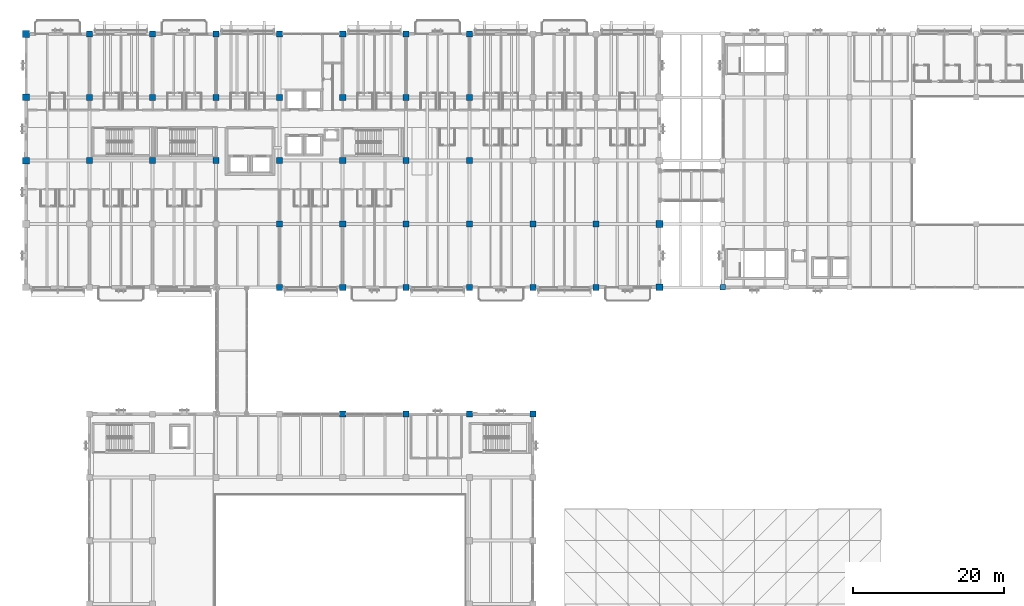
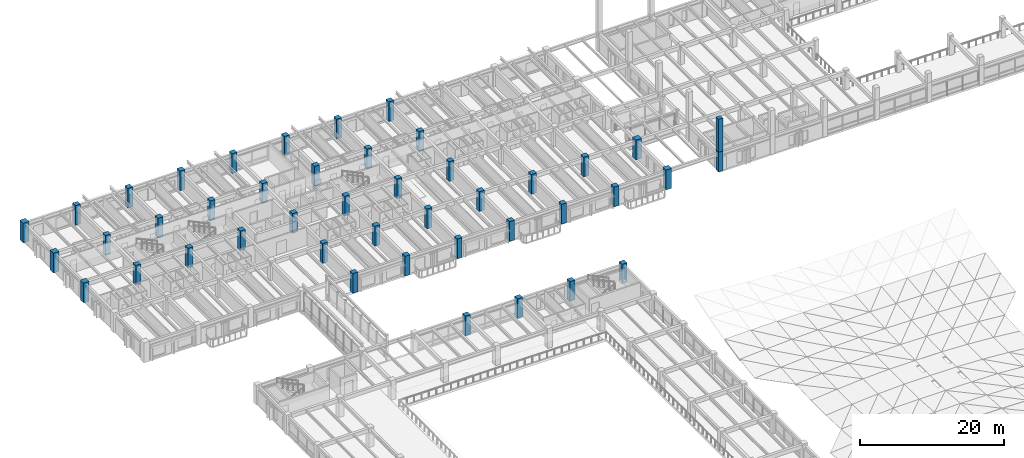
# One storey, part 3 of 123: 44 columns.
"""IFC4 building model written with IfcOpenShell, lengths in metres."""

from ifc_helpers import new_model, si_unit, direction, frame, origin, origin_2d, place, context, subcontext, project, spatial, rectangle, extrude, material, material_profile, profile_set, type_object, element, save


model = new_model("IFC4")

# Units and contexts
model_context = context("Model", 3, precision=1e-05, world=origin(), true_north=direction((0.0, 1.0)))
body_context = subcontext(model_context, "Body", "Model", "MODEL_VIEW")
ifc_project = project(units=[si_unit("LENGTHUNIT", "METRE"), si_unit("AREAUNIT", "SQUARE_METRE"), si_unit("VOLUMEUNIT", "CUBIC_METRE"), si_unit("PLANEANGLEUNIT", "RADIAN"), si_unit("MASSUNIT", "GRAM", prefix="KILO")], contexts=[model_context])

# Site, building, storey
site_placement = place(None, origin())
site = spatial("IfcSite", under=ifc_project, at=site_placement, CompositionType="ELEMENT")
building_placement = place(site_placement, origin())
building = spatial("IfcBuilding", under=site, at=building_placement, Name="Cumbredor Promenade Congress Hotel", CompositionType="ELEMENT")
storey_placement = place(building_placement, frame((0.0, 0.0, 11.760009765625)))
storey = spatial("IfcBuildingStorey", under=building, at=storey_placement, Name="L03", CompositionType="ELEMENT", Elevation=11.760009765625)

# Columns
ifc_material_1 = material(Name="Concrete C40/50", Category="concrete")
ifc_material_profile_1 = material_profile(ifc_material_1, rectangle(XDim=0.699951171875, YDim=0.699951171875, at=origin_2d()), Name="RC 700x700")
ifc_profile_set_1 = profile_set([ifc_material_profile_1], Name="Concrete C40/50")
column_type_1 = type_object("IfcColumnType", Name="COL-RC-700", PredefinedType="COLUMN", material=ifc_profile_set_1)
column_1_placement = place(storey_placement, frame((92.39990234375, 84.0, 0.0), z_axis=(0.0, 0.0, 1.0), x_axis=(1.0, 0.0, 0.0)))
element("IfcColumn", 1, at=column_1_placement, inside=storey, type_object=column_type_1, Name="L03 Structural Column 104", PredefinedType="COLUMN", context=body_context, shape_type="SweptSolid", body=[
    extrude(rectangle(XDim=0.699951171875, YDim=0.699951171875, at=origin_2d()), origin(), (0.0, 0.0, 1.0), 3.360107421875),
])
column_2_placement = place(storey_placement, frame((92.39990234375, 84.0, 3.360107421875), z_axis=(0.0, 0.0, 1.0), x_axis=(1.0, 0.0, 0.0)))
element("IfcColumn", 2, at=column_2_placement, inside=storey, type_object=column_type_1, Name="Pre-Function and Breakout Meeting Forum Clerestory Column Extension 01", PredefinedType="COLUMN", context=body_context, shape_type="SweptSolid", body=[
    extrude(rectangle(XDim=0.699951171875, YDim=0.699951171875, at=origin_2d()), origin(), (0.0, 0.0, 1.0), 5.609375),
])
ifc_material_2 = material(Name="Concrete C50/60", Category="concrete")
ifc_material_profile_2 = material_profile(ifc_material_2, rectangle(XDim=0.800048828125, YDim=0.800048828125, at=origin_2d()), Name="RC 800x800")
ifc_profile_set_2 = profile_set([ifc_material_profile_2], Name="Concrete C50/60")
column_type_2 = type_object("IfcColumnType", Name="COL-RC-800", PredefinedType="COLUMN", material=ifc_profile_set_2)
for number, where, z_axis, x_axis, name in (
    (3, (8.39990234375, 100.800048828125, 0.0), (0.0, 0.0, 1.0), (1.0, 0.0, 0.0), "L03 Structural Column 016"),
    (4, (8.39990234375, 109.199951171875, 0.0), (0.0, 0.0, 1.0), (1.0, 0.0, 0.0), "L03 Structural Column 017"),
    (5, (8.39990234375, 117.60009765625, 0.0), (0.0, 0.0, 1.0), (1.0, 0.0, 0.0), "L03 Structural Column 018"),
    (6, (16.800048828125, 100.800048828125, 0.0), (0.0, 0.0, 1.0), (1.0, 0.0, 0.0), "L03 Structural Column 029"),
    (7, (16.800048828125, 109.199951171875, 0.0), (0.0, 0.0, 1.0), (1.0, 0.0, 0.0), "L03 Structural Column 030"),
    (8, (16.800048828125, 117.60009765625, 0.0), (0.0, 0.0, 1.0), (1.0, 0.0, 0.0), "L03 Structural Column 031"),
    (9, (25.199951171875, 100.800048828125, 0.0), (0.0, 0.0, 1.0), (1.0, 0.0, 0.0), "L03 Structural Column 038"),
    (10, (25.199951171875, 109.199951171875, 0.0), (0.0, 0.0, 1.0), (1.0, 0.0, 0.0), "L03 Structural Column 039"),
    (11, (25.199951171875, 117.60009765625, 0.0), (0.0, 0.0, 1.0), (1.0, 0.0, 0.0), "L03 Structural Column 040"),
    (12, (33.60009765625, 84.0, 0.0), (0.0, 0.0, 1.0), (1.0, 0.0, 0.0), "L03 Structural Column 045"),
    (13, (33.60009765625, 92.39990234375, 0.0), (0.0, 0.0, 1.0), (1.0, 0.0, 0.0), "L03 Structural Column 046"),
    (14, (33.60009765625, 100.800048828125, 0.0), (0.0, 0.0, 1.0), (1.0, 0.0, 0.0), "L03 Structural Column 047"),
    (15, (33.60009765625, 109.199951171875, 0.0), (0.0, 0.0, 1.0), (1.0, 0.0, 0.0), "L03 Structural Column 048"),
    (16, (33.60009765625, 117.60009765625, 0.0), (0.0, 0.0, 1.0), (1.0, 0.0, 0.0), "L03 Structural Column 049"),
    (17, (42.0, 67.199951171875, 0.0), (0.0, 0.0, 1.0), (1.0, 0.0, 0.0), "L03 Structural Column 053"),
    (18, (42.0, 84.0, 0.0), (0.0, 0.0, 1.0), (1.0, 0.0, 0.0), "L03 Structural Column 054"),
    (19, (42.0, 92.39990234375, 0.0), (0.0, 0.0, 1.0), (1.0, 0.0, 0.0), "L03 Structural Column 055"),
    (20, (42.0, 100.800048828125, 0.0), (0.0, 0.0, 1.0), (1.0, 0.0, 0.0), "L03 Structural Column 056"),
    (21, (42.0, 109.199951171875, 0.0), (0.0, 0.0, 1.0), (1.0, 0.0, 0.0), "L03 Structural Column 057"),
    (22, (42.0, 117.60009765625, 0.0), (0.0, 0.0, 1.0), (1.0, 0.0, 0.0), "L03 Structural Column 058"),
    (23, (50.39990234375, 67.199951171875, 0.0), (0.0, 0.0, 1.0), (1.0, 0.0, 0.0), "L03 Structural Column 062"),
    (24, (50.39990234375, 84.0, 0.0), (0.0, 0.0, 1.0), (1.0, 0.0, 0.0), "L03 Structural Column 063"),
    (25, (50.39990234375, 92.39990234375, 0.0), (0.0, 0.0, 1.0), (1.0, 0.0, 0.0), "L03 Structural Column 064"),
    (26, (50.39990234375, 100.800048828125, 0.0), (0.0, 0.0, 1.0), (1.0, 0.0, 0.0), "L03 Structural Column 065"),
    (27, (50.39990234375, 109.199951171875, 0.0), (0.0, 0.0, 1.0), (1.0, 0.0, 0.0), "L03 Structural Column 066"),
    (28, (50.39990234375, 117.60009765625, 0.0), (0.0, 0.0, 1.0), (1.0, 0.0, 0.0), "L03 Structural Column 067"),
    (29, (58.800048828125, 67.199951171875, 0.0), (0.0, 0.0, 1.0), (1.0, 0.0, 0.0), "L03 Structural Column 075"),
    (30, (58.800048828125, 84.0, 0.0), (0.0, 0.0, 1.0), (1.0, 0.0, 0.0), "L03 Structural Column 076"),
    (31, (58.800048828125, 92.39990234375, 0.0), (0.0, 0.0, 1.0), (1.0, 0.0, 0.0), "L03 Structural Column 077"),
    (32, (58.800048828125, 100.800048828125, 0.0), (0.0, 0.0, 1.0), (1.0, 0.0, 0.0), "L03 Structural Column 078"),
    (33, (58.800048828125, 109.199951171875, 0.0), (0.0, 0.0, 1.0), (1.0, 0.0, 0.0), "L03 Structural Column 079"),
    (34, (58.800048828125, 117.60009765625, 0.0), (0.0, 0.0, 1.0), (1.0, 0.0, 0.0), "L03 Structural Column 080"),
    (35, (67.199951171875, 67.199951171875, 0.0), (0.0, 0.0, 1.0), (1.0, 0.0, 0.0), "L03 Structural Column 088"),
    (36, (67.199951171875, 84.0, 0.0), (0.0, 0.0, 1.0), (1.0, 0.0, 0.0), "L03 Structural Column 089"),
    (37, (67.199951171875, 92.39990234375, 0.0), (0.0, 0.0, 1.0), (1.0, 0.0, 0.0), "L03 Structural Column 090"),
    (38, (75.60009765625, 84.0, 0.0), (0.0, 0.0, 1.0), (1.0, 0.0, 0.0), "L03 Structural Column 094"),
    (39, (75.60009765625, 92.39990234375, 0.0), (0.0, 0.0, 1.0), (1.0, 0.0, 0.0), "L03 Structural Column 095"),
):
    element("IfcColumn", number, at=place(storey_placement, frame(where, z_axis=z_axis, x_axis=x_axis)), inside=storey, type_object=column_type_2, Name=name, PredefinedType="COLUMN", context=body_context, shape_type="SweptSolid", body=[
        extrude(rectangle(XDim=0.800048828125, YDim=0.800048828125, at=origin_2d()), origin(), (0.0, 0.0, 1.0), 3.360107421875),
    ])
ifc_material_profile_3 = material_profile(ifc_material_2, rectangle(XDim=0.89990234375, YDim=0.89990234375, at=origin_2d()), Name="RC 900x900")
ifc_profile_set_3 = profile_set([ifc_material_profile_3], Name="Concrete C50/60")
column_type_3 = type_object("IfcColumnType", Name="COL-RC-900", PredefinedType="COLUMN", material=ifc_profile_set_3)
for number, where, z_axis, x_axis, name in (
    (40, (0.0, 100.800048828125, 0.0), (0.0, 0.0, 1.0), (1.0, 0.0, 0.0), "L03 Structural Column 003"),
    (41, (0.0, 109.199951171875, 0.0), (0.0, 0.0, 1.0), (1.0, 0.0, 0.0), "L03 Structural Column 004"),
    (42, (0.0, 117.60009765625, 0.0), (0.0, 0.0, 1.0), (1.0, 0.0, 0.0), "L03 Structural Column 005"),
    (43, (84.0, 84.0, 0.0), (0.0, 0.0, 1.0), (1.0, 0.0, 0.0), "L03 Structural Column 099"),
    (44, (84.0, 92.39990234375, 0.0), (0.0, 0.0, 1.0), (1.0, 0.0, 0.0), "L03 Structural Column 100"),
):
    element("IfcColumn", number, at=place(storey_placement, frame(where, z_axis=z_axis, x_axis=x_axis)), inside=storey, type_object=column_type_3, Name=name, PredefinedType="COLUMN", context=body_context, shape_type="SweptSolid", body=[
        extrude(rectangle(XDim=0.89990234375, YDim=0.89990234375, at=origin_2d()), origin(), (0.0, 0.0, 1.0), 3.360107421875),
    ])

save(model, "model.ifc")
